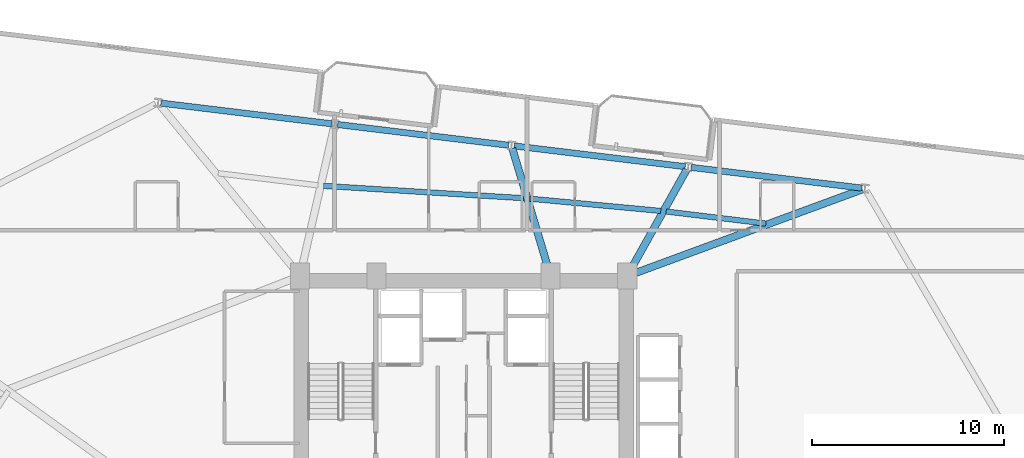
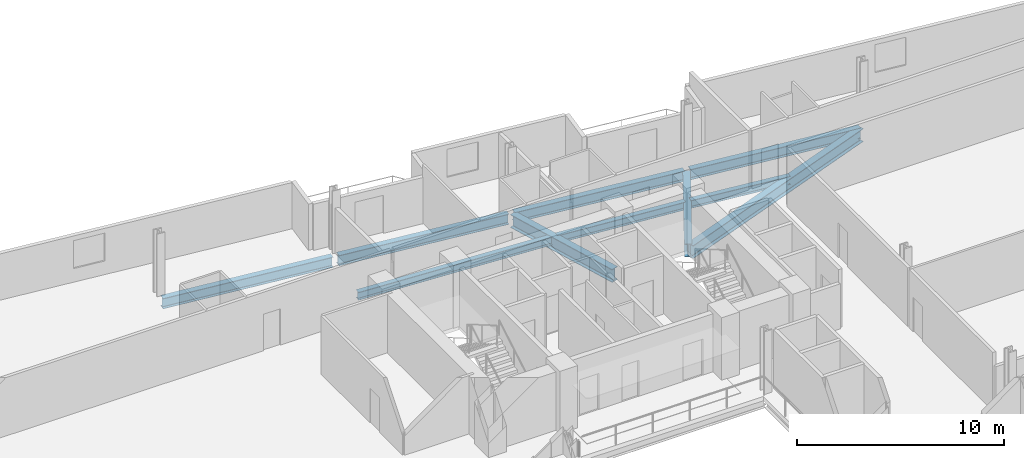
# One storey, part 13 of 26: 10 beams.
"""IFC4 building model written with IfcOpenShell, lengths in metres."""

from ifc_helpers import new_model, si_unit, direction, frame, origin, origin_2d, place, context, subcontext, project, spatial, i_section, extrude, material, material_profile, profile_set, type_object, element, save


model = new_model("IFC4")

# Units and contexts
model_context = context("Model", 3, precision=1e-05, world=origin(), true_north=direction((0.0, 1.0)))
body_context = subcontext(model_context, "Body", "Model", "MODEL_VIEW")
ifc_project = project(units=[si_unit("LENGTHUNIT", "METRE"), si_unit("AREAUNIT", "SQUARE_METRE"), si_unit("VOLUMEUNIT", "CUBIC_METRE"), si_unit("PLANEANGLEUNIT", "RADIAN"), si_unit("MASSUNIT", "GRAM", prefix="KILO")], contexts=[model_context])

# Site, building, storey
site_placement = place(None, origin())
site = spatial("IfcSite", under=ifc_project, at=site_placement, CompositionType="ELEMENT")
building_placement = place(site_placement, origin())
building = spatial("IfcBuilding", under=site, at=building_placement, Name="Varnelok Gate Tower", CompositionType="ELEMENT")
storey_placement = place(building_placement, frame((0.0, 0.0, 121.699951171875)))
storey = spatial("IfcBuildingStorey", under=building, at=storey_placement, Name="L30", CompositionType="ELEMENT", Elevation=121.699951171875)

# Beams
ifc_material = material(Name="Structural Steel ASTM A992 Grade 50", Category="steel")
ifc_material_profile_1 = material_profile(ifc_material, i_section(OverallWidth=0.280029296875, OverallDepth=0.462890625, WebThickness=0.0107421875, FlangeThickness=0.017333984375, FilletRadius=0.014892578125, at=origin_2d()), Name="W18X76")
ifc_profile_set_1 = profile_set([ifc_material_profile_1], Name="Structural Steel ASTM A992 Grade 50")
beam_type_1 = type_object("IfcBeamType", Name="BM-JST-W18X76", PredefinedType="JOIST", material=ifc_profile_set_1)
beam_1_placement = place(storey_placement, frame((54.911865234375, 41.776123046875, -0.4814453125), z_axis=(-0.99273192091, 0.120346720792, 0.0), x_axis=(-0.120346720792, -0.99273192091, 0.0)))
element("IfcBeam", 1, at=beam_1_placement, inside=storey, type_object=beam_type_1, Name="L30 Sector Floor Joist 7", PredefinedType="JOIST", context=body_context, shape_type="SweptSolid", body=[
    extrude(i_section(OverallWidth=0.280029296875, OverallDepth=0.462890625, WebThickness=0.0107421875, FlangeThickness=0.017333984375, FilletRadius=0.014892578125, at=origin_2d()), origin(), (0.0, 0.0, 1.0), 5.223876953125),
])
beam_2_placement = place(storey_placement, frame((49.44775390625, 42.4345703125, -0.4814453125), z_axis=(-0.995647510316, 0.093198901289, 0.0), x_axis=(-0.093198901289, -0.995647510316, 0.0)))
element("IfcBeam", 2, at=beam_2_placement, inside=storey, type_object=beam_type_1, Name="L30 Sector Floor Joist 8", PredefinedType="JOIST", context=body_context, shape_type="SweptSolid", body=[
    extrude(i_section(OverallWidth=0.280029296875, OverallDepth=0.462890625, WebThickness=0.0107421875, FlangeThickness=0.017333984375, FilletRadius=0.014892578125, at=origin_2d()), origin(), (0.0, 0.0, 1.0), 6.82666015625),
])
beam_3_placement = place(storey_placement, frame((42.37158203125, 43.092529296875, -0.4814453125), z_axis=(-0.998101680415, 0.061587624993, 0.0), x_axis=(-0.061587624993, -0.998101680415, 0.0)))
element("IfcBeam", 3, at=beam_3_placement, inside=storey, type_object=beam_type_1, Name="L30 Sector Floor Joist 9", PredefinedType="JOIST", context=body_context, shape_type="SweptSolid", body=[
    extrude(i_section(OverallWidth=0.280029296875, OverallDepth=0.462890625, WebThickness=0.0107421875, FlangeThickness=0.017333984375, FilletRadius=0.014892578125, at=origin_2d()), origin(), (0.0, 0.0, 1.0), 10.47705078125),
])
ifc_material_profile_2 = material_profile(ifc_material, i_section(OverallWidth=0.381103515625, OverallDepth=0.77294921875, WebThickness=0.0166015625, FlangeThickness=0.027099609375, FilletRadius=0.02197265625, at=origin_2d()), Name="W30X173")
ifc_profile_set_2 = profile_set([ifc_material_profile_2], Name="Structural Steel ASTM A992 Grade 50")
beam_type_2 = type_object("IfcBeamType", Name="BM-PRI-W30X173", PredefinedType="BEAM", material=ifc_profile_set_2)
beam_4_placement = place(storey_placement, frame((47.8408203125, 39.101806640625, -0.636474609375), z_axis=(0.938296458402, 0.345831976761, 0.0), x_axis=(-0.345831976761, 0.938296458402, 0.0)))
element("IfcBeam", 4, at=beam_4_placement, inside=storey, type_object=beam_type_2, Name="L30 Radial Floor Girder 9", PredefinedType="BEAM", context=body_context, shape_type="SweptSolid", body=[
    extrude(i_section(OverallWidth=0.381103515625, OverallDepth=0.77294921875, WebThickness=0.0166015625, FlangeThickness=0.027099609375, FilletRadius=0.02197265625, at=origin_2d()), origin(), (0.0, 0.0, 1.0), 12.86669921875),
])
beam_5_placement = place(storey_placement, frame((47.773193359375, 39.180908203125, -0.636474609375), z_axis=(0.48838490004, 0.872628322605, 0.0), x_axis=(-0.872628322605, 0.48838490004, 0.0)))
element("IfcBeam", 5, at=beam_5_placement, inside=storey, type_object=beam_type_2, Name="L30 Radial Floor Girder 10", PredefinedType="BEAM", context=body_context, shape_type="SweptSolid", body=[
    extrude(i_section(OverallWidth=0.381103515625, OverallDepth=0.77294921875, WebThickness=0.0166015625, FlangeThickness=0.027099609375, FilletRadius=0.02197265625, at=origin_2d()), origin(), (0.0, 0.0, 1.0), 6.193603515625),
])
beam_6_placement = place(storey_placement, frame((43.677001953125, 39.193603515625, -0.636474609375), z_axis=(-0.28702069947, 0.957924380145, 0.0), x_axis=(-0.957924380145, -0.28702069947, 0.0)))
element("IfcBeam", 6, at=beam_6_placement, inside=storey, type_object=beam_type_2, Name="L30 Radial Floor Girder 11", PredefinedType="BEAM", context=body_context, shape_type="SweptSolid", body=[
    extrude(i_section(OverallWidth=0.381103515625, OverallDepth=0.77294921875, WebThickness=0.0166015625, FlangeThickness=0.027099609375, FilletRadius=0.02197265625, at=origin_2d()), origin(), (0.0, 0.0, 1.0), 6.777587890625),
])
ifc_material_profile_3 = material_profile(ifc_material, i_section(OverallWidth=0.323974609375, OverallDepth=0.611083984375, WebThickness=0.0126953125, FlangeThickness=0.01904296875, FilletRadius=0.01806640625, at=origin_2d()), Name="W24X104")
ifc_profile_set_3 = profile_set([ifc_material_profile_3], Name="Structural Steel ASTM A992 Grade 50")
beam_type_3 = type_object("IfcBeamType", Name="BM-SPN-W24X104", PredefinedType="SPANDREL", material=ifc_profile_set_3)
for number, where, z_axis, x_axis, name in (
    (7, (59.905517578125, 43.621337890625, -0.555419921875), (-0.99273141198, 0.120350918849, 0.0), (-0.120350918849, -0.99273141198, 0.0), "L30 Perimeter Spandrel Beam 9"),
    (8, (50.72265625, 44.734619140625, -0.555419921875), (-0.992734670707, 0.120324035735, 0.0), (-0.120324035735, -0.992734670707, 0.0), "L30 Perimeter Spandrel Beam 10"),
    (9, (41.539794921875, 45.847900390625, -0.555419921875), (-0.992734670707, 0.120324035735, 0.0), (-0.120324035735, -0.992734670707, 0.0), "L30 Perimeter Spandrel Beam 11"),
    (10, (32.357177734375, 46.9609375, -0.555419921875), (-0.99273141198, 0.120350918849, 0.0), (-0.120350918849, -0.99273141198, 0.0), "L30 Perimeter Spandrel Beam 12"),
):
    element("IfcBeam", number, at=place(storey_placement, frame(where, z_axis=z_axis, x_axis=x_axis)), inside=storey, type_object=beam_type_3, Name=name, PredefinedType="SPANDREL", context=body_context, shape_type="SweptSolid", body=[
        extrude(i_section(OverallWidth=0.323974609375, OverallDepth=0.611083984375, WebThickness=0.0126953125, FlangeThickness=0.01904296875, FilletRadius=0.01806640625, at=origin_2d()), origin(), (0.0, 0.0, 1.0), 8.949951171875),
    ])

save(model, "model.ifc")
